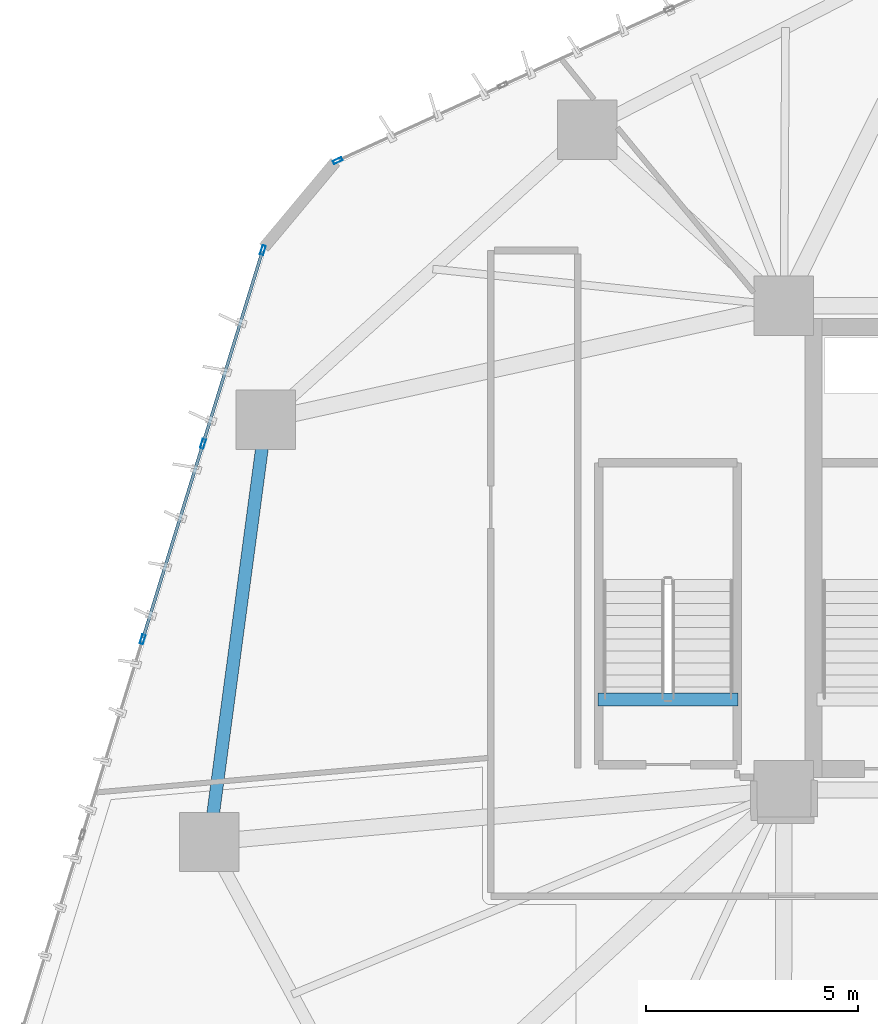
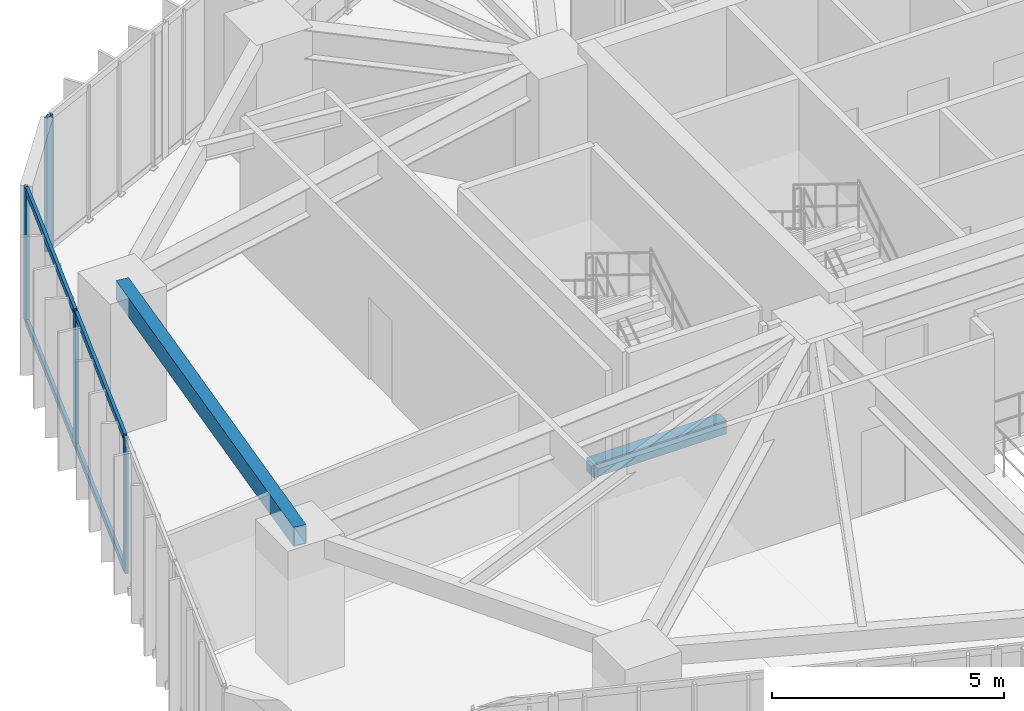
# One storey, part 7 of 24: 8 members, 2 beams, 2 elements without a shape of their own.
"""IFC4 building model written with IfcOpenShell, lengths in metres."""

from ifc_helpers import new_model, si_unit, direction, frame, origin, origin_2d, place, context, subcontext, project, spatial, rectangle, hollow_rectangle, extrude, source, transform, mapped, material, layer, layer_set, material_profile, profile_set, type_object, type_shapes, element, aggregate, save


model = new_model("IFC4")

# Units and contexts
model_context = context("Model", 3, precision=1e-05, world=origin(), true_north=direction((0.0, 1.0)))
body_context = subcontext(model_context, "Body", "Model", "MODEL_VIEW")
ifc_project = project(units=[si_unit("LENGTHUNIT", "METRE"), si_unit("AREAUNIT", "SQUARE_METRE"), si_unit("VOLUMEUNIT", "CUBIC_METRE"), si_unit("PLANEANGLEUNIT", "RADIAN"), si_unit("MASSUNIT", "GRAM", prefix="KILO")], contexts=[model_context])

# Site, building, storey
site_placement = place(None, origin())
site = spatial("IfcSite", under=ifc_project, at=site_placement, CompositionType="ELEMENT")
building_placement = place(site_placement, origin())
building = spatial("IfcBuilding", under=site, at=building_placement, Name="Talar Marvaseh", CompositionType="ELEMENT")
storey_placement = place(building_placement, frame((0.0, 0.0, 31.60009765625)))
storey = spatial("IfcBuildingStorey", under=building, at=storey_placement, Name="L07", CompositionType="ELEMENT", Elevation=31.60009765625)

# Beams
ifc_material_1 = material(Name="Concrete C40/50", Category="concrete")
ifc_material_profile_1 = material_profile(ifc_material_1, rectangle(XDim=0.300048828125, YDim=0.360107421875, at=origin_2d()), Name="RC300x360")
ifc_profile_set_1 = profile_set([ifc_material_profile_1], Name="Concrete C40/50")
beam_type_1 = type_object("IfcBeamType", Name="Concrete Stair Landing Trimmer Beam RC300x360", PredefinedType="SPANDREL", material=ifc_profile_set_1)
beam_1_placement = place(storey_placement, frame((17.6201171875, 27.6298828125, -0.18017578125), z_axis=(-1.0, 0.0, 0.0), x_axis=(0.0, -1.0, 0.0)))
element("IfcBeam", 1, at=beam_1_placement, inside=storey, type_object=beam_type_1, Name="L07 ST-3 Stair Nosing Trimmer Beam", PredefinedType="SPANDREL", context=body_context, shape_type="SweptSolid", body=[
    extrude(rectangle(XDim=0.300048828125, YDim=0.360107421875, at=origin_2d()), origin(), (0.0, 0.0, 1.0), 3.300048828125),
])
ifc_material_2 = material(Name="Steel S355", Category="steel")
ifc_material_profile_2 = material_profile(ifc_material_2, hollow_rectangle(XDim=0.300048828125, YDim=0.5, WallThickness=0.02001953125, at=origin_2d()), Name="RHS500x300x20")
ifc_profile_set_2 = profile_set([ifc_material_profile_2], Name="Steel S355")
beam_type_2 = type_object("IfcBeamType", Name="Zone 1 Perimeter Spandrel Beam RHS500x300x20", PredefinedType="SPANDREL", material=ifc_profile_set_2)
beam_2_placement = place(storey_placement, frame((5.175048828125, 24.27587890625, 3.27001953125), z_axis=(0.132340758564, 0.991204279461, 0.0), x_axis=(-0.991204279461, 0.132340758564, 0.0)))
element("IfcBeam", 2, at=beam_2_placement, inside=storey, type_object=beam_type_2, Name="L07 Zone 1 Perimeter Spandrel Beam RHS500x300x20", PredefinedType="SPANDREL", context=body_context, shape_type="SweptSolid", body=[
    extrude(hollow_rectangle(XDim=0.300048828125, YDim=0.5, WallThickness=0.02001953125, at=origin_2d()), origin(), (0.0, 0.0, 1.0), 10.0263671875),
])

# Curtain wall, members
ifc_material_3 = material(Name="Architectural Aluminium", Category="aluminium")
ifc_layer = layer(ifc_material_3, 0.219970703125)
ifc_layer_set = layer_set([ifc_layer], Name="Architectural Aluminium")
curtain_wall_type = type_object("IfcCurtainWallType", Name="Unitised Low-E Museum Curtain Wall Z1", PredefinedType="NOTDEFINED", material=ifc_layer_set)
curtain_wall_1_placement = place(storey_placement, origin())
curtain_wall_1 = element("IfcCurtainWall", 3, at=curtain_wall_1_placement, inside=storey, type_object=curtain_wall_type, Name="L07 Unitised Low-E Museum Curtain Wall Z1", PredefinedType="NOTDEFINED")
ifc_material_profile_3 = material_profile(ifc_material_3, hollow_rectangle(XDim=0.080078125, YDim=0.219970703125, WallThickness=0.0048828125, at=origin_2d()), Name="RHS220x80x5")
ifc_profile_set_3 = profile_set([ifc_material_profile_3], Name="Architectural Aluminium")
member_type_1 = type_object("IfcMemberType", Name="Unitised Curtain Wall Heavy Mullion RHS220x80x5", PredefinedType="MULLION", material=ifc_profile_set_3)
shared_shape_1 = source(origin(), body_context, "Body", "SweptSolid", [
    extrude(hollow_rectangle(XDim=0.080078125, YDim=0.219970703125, WallThickness=0.0048828125, at=origin_2d()), origin(), (0.0, 0.0, 1.0), 3.52001953125),
])
type_shapes(member_type_1, [shared_shape_1])
member_1_placement = place(storey_placement, frame((3.604736328125, 29.044921875, 0.0), z_axis=(0.0, 0.0, 1.0), x_axis=(-0.955516473068, 0.294937738677, 0.0)))
member_1 = element("IfcMember", 4, at=member_1_placement, type_object=member_type_1, Name="CW-Z1 mullion 3", PredefinedType="MULLION", context=body_context, shape_type="MappedRepresentation", body=[
    mapped(shared_shape_1, transform((0.0, 0.0, 0.0), x_axis=(1.0, 0.0, 0.0), y_axis=(0.0, 1.0, 0.0), z_axis=(0.0, 0.0, 1.0), scale=1.0)),
])
member_2_placement = place(storey_placement, frame((5.025390625, 33.647216796875, 0.0), z_axis=(0.0, 0.0, 1.0), x_axis=(-0.955516473068, 0.294937738677, 0.0)))
member_2 = element("IfcMember", 5, at=member_2_placement, type_object=member_type_1, Name="CW-Z1 mullion 4", PredefinedType="MULLION", context=body_context, shape_type="MappedRepresentation", body=[
    mapped(shared_shape_1, transform((0.0, 0.0, 0.0), x_axis=(1.0, 0.0, 0.0), y_axis=(0.0, 1.0, 0.0), z_axis=(0.0, 0.0, 1.0), scale=1.0)),
])
member_3_placement = place(storey_placement, frame((6.43408203125, 38.211181640625, 0.0), z_axis=(0.0, 0.0, 1.0), x_axis=(-0.955516473068, 0.294937738677, 0.0)))
member_3 = element("IfcMember", 6, at=member_3_placement, type_object=member_type_1, Name="CW-Z1 mullion 5", PredefinedType="MULLION", context=body_context, shape_type="MappedRepresentation", body=[
    mapped(shared_shape_1, transform((0.0, 0.0, 0.0), x_axis=(1.0, 0.0, 0.0), y_axis=(0.0, 1.0, 0.0), z_axis=(0.0, 0.0, 1.0), scale=1.0)),
])

# Curtain wall, member
curtain_wall_2_placement = place(storey_placement, origin())
curtain_wall_2 = element("IfcCurtainWall", 7, at=curtain_wall_2_placement, inside=storey, type_object=curtain_wall_type, Name="L07 Unitised Low-E Museum Curtain Wall Z1", PredefinedType="NOTDEFINED")
member_4_placement = place(storey_placement, frame((8.196533203125, 40.31640625, 0.0), z_axis=(0.0, 0.0, 1.0), x_axis=(-0.415769899778, 0.909469840313, 0.0)))
member_4 = element("IfcMember", 8, at=member_4_placement, type_object=member_type_1, Name="CW-Z1 mullion 1", PredefinedType="MULLION", context=body_context, shape_type="MappedRepresentation", body=[
    mapped(shared_shape_1, transform((0.0, 0.0, 0.0), x_axis=(1.0, 0.0, 0.0), y_axis=(0.0, 1.0, 0.0), z_axis=(0.0, 0.0, 1.0), scale=1.0)),
])
aggregate(curtain_wall_2, [member_4])

# Member
ifc_material_profile_4 = material_profile(ifc_material_3, hollow_rectangle(XDim=0.074951171875, YDim=0.179931640625, WallThickness=0.0048828125, at=origin_2d()), Name="RHS180x75x5")
ifc_profile_set_4 = profile_set([ifc_material_profile_4], Name="Architectural Aluminium")
member_type_2 = type_object("IfcMemberType", Name="Unitised Curtain Wall Transom RHS180x75x5", PredefinedType="USERDEFINED", material=ifc_profile_set_4)
shared_shape_2 = source(origin(), body_context, "Body", "SweptSolid", [
    extrude(hollow_rectangle(XDim=0.074951171875, YDim=0.179931640625, WallThickness=0.0048828125, at=origin_2d()), origin(), (0.0, 0.0, 1.0), 4.69677734375),
])
member_5_placement = place(storey_placement, frame((5.037109375, 33.685302734375, 0.037353515625), z_axis=(0.294940468263, 0.955515630527, 0.0), x_axis=(-0.955515630527, 0.294940468263, 0.0)))
member_5 = element("IfcMember", 9, at=member_5_placement, type_object=member_type_2, Name="CW-Z1 transom 4.1", ObjectType="TRANSOM", PredefinedType="USERDEFINED", context=body_context, shape_type="MappedRepresentation", body=[
    mapped(shared_shape_2, transform((0.0, 0.0, 0.0), x_axis=(1.0, 0.0, 0.0), y_axis=(0.0, 1.0, 0.0), z_axis=(0.0, 0.0, 1.0), scale=1.0)),
])

member_6_placement = place(storey_placement, frame((5.037109375, 33.685302734375, 3.482421875), z_axis=(0.294940468263, 0.955515630527, 0.0), x_axis=(-0.955515630527, 0.294940468263, 0.0)))
member_6 = element("IfcMember", 10, at=member_6_placement, type_object=member_type_2, Name="CW-Z1 transom 4.2", ObjectType="TRANSOM", PredefinedType="USERDEFINED", context=body_context, shape_type="MappedRepresentation", body=[
    mapped(shared_shape_2, transform((0.0, 0.0, 0.0), x_axis=(1.0, 0.0, 0.0), y_axis=(0.0, 1.0, 0.0), z_axis=(0.0, 0.0, 1.0), scale=1.0)),
])

shared_shape_3 = source(origin(), body_context, "Body", "SweptSolid", [
    extrude(hollow_rectangle(XDim=0.074951171875, YDim=0.179931640625, WallThickness=0.0048828125, at=origin_2d()), origin(), (0.0, 0.0, 1.0), 4.736572265625),
])
type_shapes(member_type_2, [shared_shape_2, shared_shape_3])
member_7_placement = place(storey_placement, frame((3.61669921875, 29.0830078125, 0.037353515625), z_axis=(0.294933279464, 0.955517849475, 0.0), x_axis=(-0.955517849475, 0.294933279464, 0.0)))
member_7 = element("IfcMember", 11, at=member_7_placement, type_object=member_type_2, Name="CW-Z1 transom 3.1", ObjectType="TRANSOM", PredefinedType="USERDEFINED", context=body_context, shape_type="MappedRepresentation", body=[
    mapped(shared_shape_3, transform((0.0, 0.0, 0.0), x_axis=(1.0, 0.0, 0.0), y_axis=(0.0, 1.0, 0.0), z_axis=(0.0, 0.0, 1.0), scale=1.0)),
])

member_8_placement = place(storey_placement, frame((3.61669921875, 29.0830078125, 3.482421875), z_axis=(0.294933279464, 0.955517849475, 0.0), x_axis=(-0.955517849475, 0.294933279464, 0.0)))
member_8 = element("IfcMember", 12, at=member_8_placement, type_object=member_type_2, Name="CW-Z1 transom 3.2", ObjectType="TRANSOM", PredefinedType="USERDEFINED", context=body_context, shape_type="MappedRepresentation", body=[
    mapped(shared_shape_3, transform((0.0, 0.0, 0.0), x_axis=(1.0, 0.0, 0.0), y_axis=(0.0, 1.0, 0.0), z_axis=(0.0, 0.0, 1.0), scale=1.0)),
])

aggregate(curtain_wall_1, [member_1, member_2, member_3, member_7, member_8, member_5, member_6])

save(model, "model.ifc")
